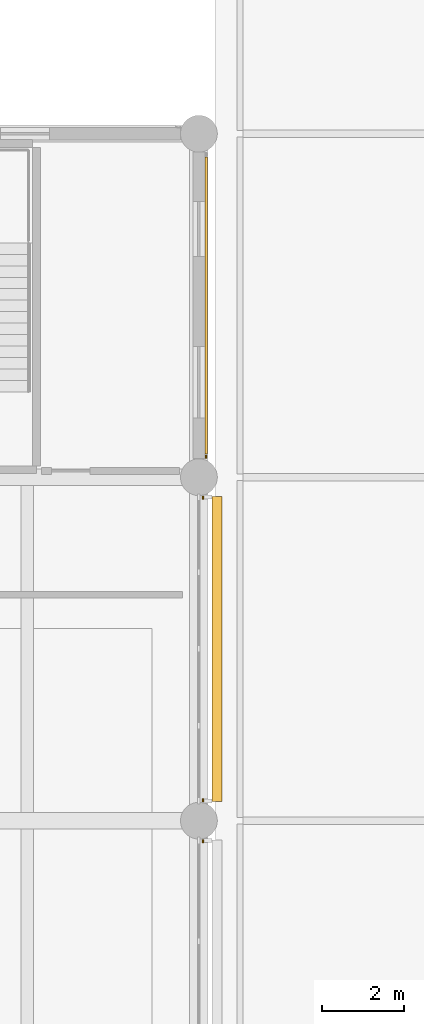
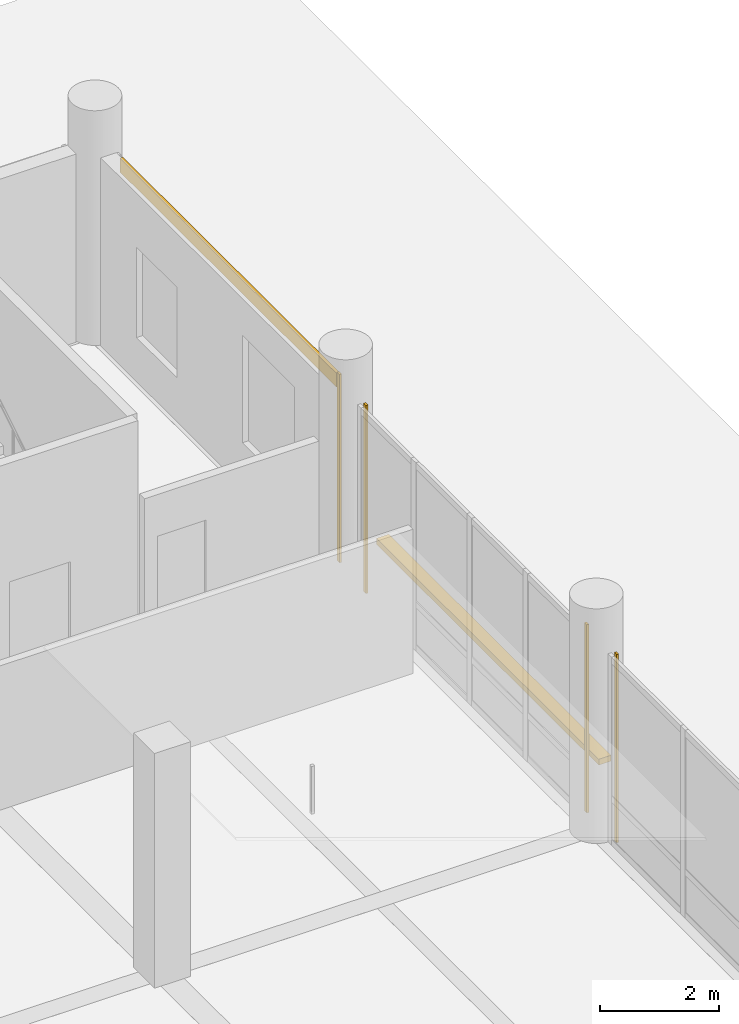
# One storey, part 104 of 128: 5 coverings, 1 shading device.
"""IFC4 building model written with IfcOpenShell, lengths in metres."""

from ifc_helpers import new_model, si_unit, direction, frame, origin, origin_2d, place, context, subcontext, project, spatial, rectangle, extrude, material, layer, layer_set, type_object, element, save


model = new_model("IFC4")

# Units and contexts
model_context = context("Model", 3, precision=1e-05, world=origin(), true_north=direction((0.0, 1.0)))
body_context = subcontext(model_context, "Body", "Model", "MODEL_VIEW")
ifc_project = project(units=[si_unit("LENGTHUNIT", "METRE"), si_unit("AREAUNIT", "SQUARE_METRE"), si_unit("VOLUMEUNIT", "CUBIC_METRE"), si_unit("PLANEANGLEUNIT", "RADIAN"), si_unit("MASSUNIT", "GRAM", prefix="KILO")], contexts=[model_context])

# Site, building, storey
site_placement = place(None, origin())
site = spatial("IfcSite", under=ifc_project, at=site_placement, CompositionType="ELEMENT")
building_placement = place(site_placement, origin())
building = spatial("IfcBuilding", under=site, at=building_placement, Name="Telukmera Botanical Conservatory", CompositionType="ELEMENT")
storey_placement = place(building_placement, frame((0.0, 0.0, 5.39990234375)))
storey = spatial("IfcBuildingStorey", under=building, at=storey_placement, Name="L01", CompositionType="ELEMENT", Elevation=5.39990234375)

# Coverings
ifc_material_1 = material(Name="Granite-faced precast concrete C40/50", Category="masonry")
ifc_layer_1 = layer(ifc_material_1, 0.0400390625)
ifc_layer_set_1 = layer_set([ifc_layer_1], Name="Granite-faced precast concrete C40/50")
covering_type_1 = type_object("IfcCoveringType", Name="Granite Precast Column Pier Reveal Casing", PredefinedType="CLADDING", material=ifc_layer_set_1)
for number, where, z_axis, x_axis, name in (
    (1, (42.10009765625, 57.498046875, 0.0), (0.0, 0.0, 1.0), (0.0, 1.0, 0.0), "Granite Pier Reveal V3:L01:E5 R"),
    (2, (42.10009765625, 58.501953125, 0.0), (0.0, 0.0, 1.0), (0.0, 1.0, 0.0), "Granite Pier Reveal V3:L01:E6 L"),
    (3, (42.10009765625, 65.89794921875, 0.0), (0.0, 0.0, 1.0), (0.0, 1.0, 0.0), "Granite Pier Reveal V3:L01:E6 R"),
    (4, (42.169921875, 66.902099609375, 0.0), (0.0, 0.0, 1.0), (0.0, 1.0, 0.0), "Granite Pier Reveal V3:L01:E7 L"),
):
    element("IfcCovering", number, at=place(storey_placement, frame(where, z_axis=z_axis, x_axis=x_axis)), inside=storey, type_object=covering_type_1, Name=name, PredefinedType="CLADDING", context=body_context, shape_type="SweptSolid", body=[
        extrude(rectangle(XDim=0.080078125, YDim=0.0400390625, at=origin_2d()), origin(), (0.0, 0.0, 1.0), 3.85009765625),
    ])

# Shading device
ifc_material_2 = material(Name="Perforated terracotta-anodised aluminium 6063-T6", Category="masonry")
ifc_layer_2 = layer(ifc_material_2, 0.044921875)
ifc_layer_set_2 = layer_set([ifc_layer_2], Name="Perforated terracotta-anodised aluminium 6063-T6")
shading_device_type = type_object("IfcShadingDeviceType", Name="Perforated Terracotta Aluminium Monsoon Brise Soleil", PredefinedType="JALOUSIE", material=ifc_layer_set_2)
shading_device_placement = place(storey_placement, frame((42.43994140625, 62.199951171875, 0.89013671875), z_axis=(0.0, 0.0, 1.0), x_axis=(0.0, 1.0, 0.0)))
element("IfcShadingDevice", 5, at=shading_device_placement, inside=storey, type_object=shading_device_type, Name="Monsoon Shading BS01 V3:L01:E6", PredefinedType="JALOUSIE", context=body_context, shape_type="SweptSolid", body=[
    extrude(rectangle(XDim=7.4560546875, YDim=0.239990234375, at=origin_2d()), origin(), (0.0, 0.0, 1.0), 0.1201171875),
])

# Covering
ifc_material_3 = material(Name="Terracotta-faced precast concrete C40/50", Category="masonry")
ifc_layer_3 = layer(ifc_material_3, 0.06005859375)
ifc_layer_set_3 = layer_set([ifc_layer_3], Name="Terracotta-faced precast concrete C40/50")
covering_type_2 = type_object("IfcCoveringType", Name="Polychrome Terracotta Facade Band Cladding", PredefinedType="CLADDING", material=ifc_layer_set_3)
covering_placement = place(storey_placement, frame((42.179931640625, 70.60009765625, 3.5302734375), z_axis=(0.0, 0.0, 1.0), x_axis=(0.0, 1.0, 0.0)))
element("IfcCovering", 6, at=covering_placement, inside=storey, type_object=covering_type_2, Name="Polychrome Terracotta Band V3:L01:E7", PredefinedType="CLADDING", context=body_context, shape_type="SweptSolid", body=[
    extrude(rectangle(XDim=7.256103515625, YDim=0.06005859375, at=origin_2d()), origin(), (0.0, 0.0, 1.0), 0.280029296875),
])

save(model, "model.ifc")
